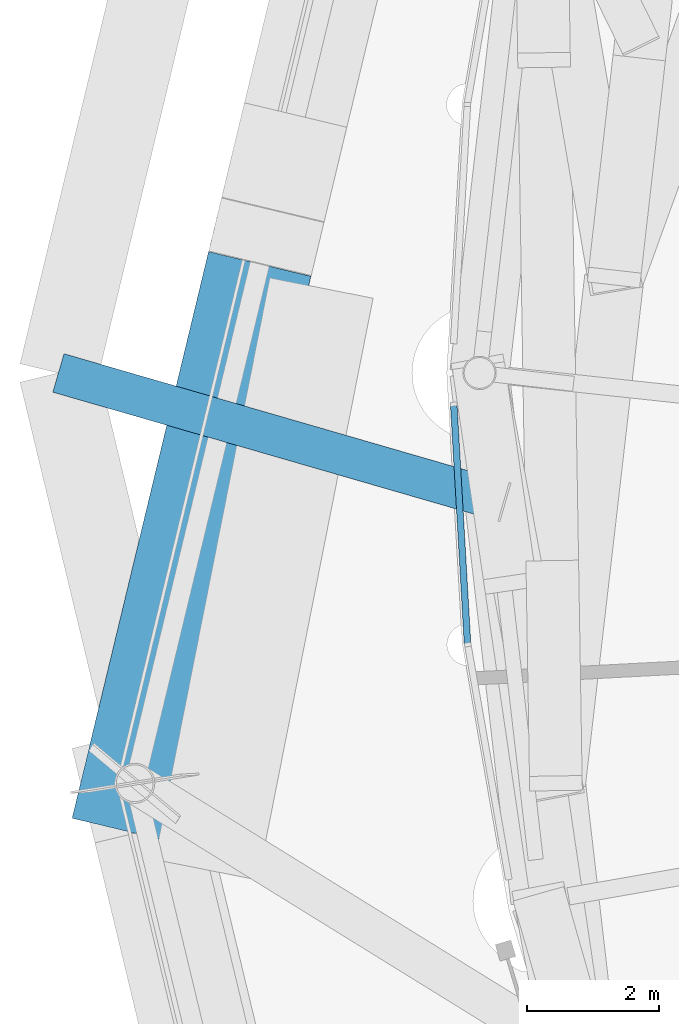
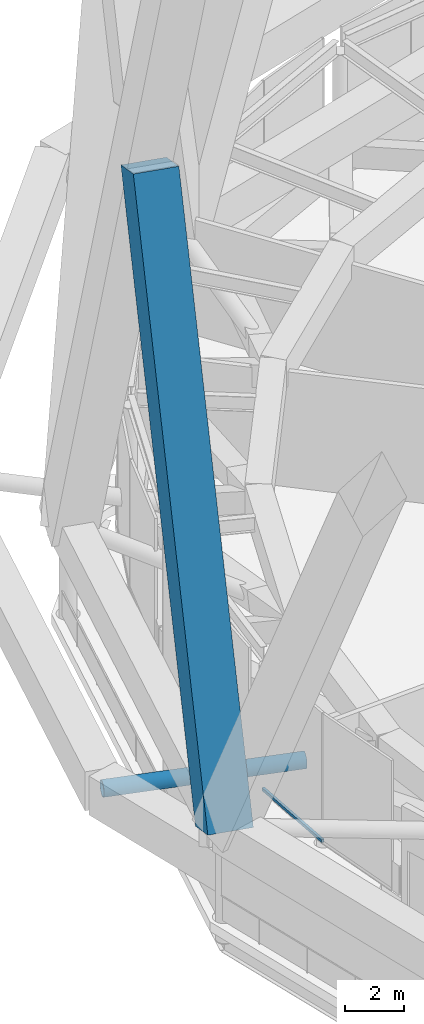
# One storey, part 17 of 65: 3 members, 1 element without a shape of its own.
"""IFC4 building model written with IfcOpenShell, lengths in metres."""

from ifc_helpers import new_model, si_unit, direction, frame, origin, origin_2d, place, context, subcontext, project, spatial, rectangle, hollow_circle, extrude, material, layer, layer_set, material_profile, profile_set, type_object, element, aggregate, save


model = new_model("IFC4")

# Units and contexts
model_context = context("Model", 3, precision=1e-05, world=origin(), true_north=direction((0.0, 1.0)))
body_context = subcontext(model_context, "Body", "Model", "MODEL_VIEW")
ifc_project = project(units=[si_unit("LENGTHUNIT", "METRE"), si_unit("AREAUNIT", "SQUARE_METRE"), si_unit("VOLUMEUNIT", "CUBIC_METRE"), si_unit("PLANEANGLEUNIT", "RADIAN"), si_unit("MASSUNIT", "GRAM", prefix="KILO")], contexts=[model_context])

# Site, building, storey
site_placement = place(None, origin())
site = spatial("IfcSite", under=ifc_project, at=site_placement, CompositionType="ELEMENT")
building_placement = place(site_placement, origin())
building = spatial("IfcBuilding", under=site, at=building_placement, Name="Nagisa Residences", CompositionType="ELEMENT")
storey_placement = place(building_placement, frame((0.0, 0.0, 114.0)))
storey = spatial("IfcBuildingStorey", under=building, at=storey_placement, Name="L28", CompositionType="ELEMENT", Elevation=114.0)

# Curtain wall, member
ifc_material_1 = material(Name="Aluminium curtain wall system", Category="aluminium")
ifc_layer = layer(ifc_material_1, 0.159912109375)
ifc_layer_set = layer_set([ifc_layer], Name="CW5 CURTAIN WALL")
curtain_wall_type = type_object("IfcCurtainWallType", Name="CW5 CURTAIN WALL", PredefinedType="NOTDEFINED", material=ifc_layer_set)
curtain_wall_placement = place(storey_placement, origin())
curtain_wall = element("IfcCurtainWall", 1, at=curtain_wall_placement, inside=storey, type_object=curtain_wall_type, Name="cw:CW5:L28:24", PredefinedType="NOTDEFINED")
ifc_material_2 = material(Name="Aluminium", Category="aluminium")
ifc_material_profile_1 = material_profile(ifc_material_2, rectangle(XDim=0.10009765625, YDim=0.1201171875, at=origin_2d()), Name="CW5 TRANSOM 100x120")
ifc_profile_set_1 = profile_set([ifc_material_profile_1], Name="Aluminium")
member_type_1 = type_object("IfcMemberType", Name="CW5 TRANSOM 100x120", PredefinedType="USERDEFINED", material=ifc_profile_set_1)
member_1_placement = place(storey_placement, frame((-29.38916015625, 2.673095703125, 0.06005859375), z_axis=(0.05747031742, -0.998347215459, 0.0), x_axis=(0.998347215459, 0.05747031742, 0.0)))
member_1 = element("IfcMember", 2, at=member_1_placement, type_object=member_type_1, Name="CW5 transom", ObjectType="TRANSOM", PredefinedType="USERDEFINED", context=body_context, shape_type="SweptSolid", body=[
    extrude(rectangle(XDim=0.10009765625, YDim=0.1201171875, at=origin_2d()), origin(), (0.0, 0.0, 1.0), 3.67041015625),
])
aggregate(curtain_wall, [member_1])

# Members
ifc_material_3 = material(Name="Concrete C80", Category="concrete")
ifc_material_profile_2 = material_profile(ifc_material_3, rectangle(XDim=1.60009765625, YDim=1.60009765625, at=origin_2d()), Name="C80 1600x1600")
ifc_profile_set_2 = profile_set([ifc_material_profile_2], Name="Concrete C80")
member_type_2 = type_object("IfcMemberType", Name="Cage diagonal 3 C80 1600x1600", PredefinedType="BRACE", material=ifc_profile_set_2)
member_2_placement = place(storey_placement, frame((-34.235107421875, -3.11767578125, 3.699951171875), z_axis=(0.090130792103, 0.374299636635, 0.922917234821), x_axis=(-0.972210857054, 0.234106918792, 0.0)))
element("IfcMember", 3, at=member_2_placement, inside=storey, type_object=member_type_2, Name="mem:L28:cg3d012a", PredefinedType="BRACE", context=body_context, shape_type="SweptSolid", body=[
    extrude(rectangle(XDim=1.60009765625, YDim=1.60009765625, at=origin_2d()), origin(), (0.0, 0.0, 1.0), 23.002685546875),
])
ifc_material_4 = material(Name="Steel ASTM A572 Gr 65", Category="steel")
ifc_material_profile_3 = material_profile(ifc_material_4, hollow_circle(Radius=0.304931640625, WallThickness=0.02490234375, at=origin_2d()), Name="CHS 610x25")
ifc_profile_set_3 = profile_set([ifc_material_profile_3], Name="Steel ASTM A572 Gr 65")
member_type_3 = type_object("IfcMemberType", Name="Cage strut CHS 610x25", PredefinedType="STRUT", material=ifc_profile_set_3)
member_3_placement = place(storey_placement, frame((-35.39501953125, 3.11767578125, 1.89990234375), z_axis=(0.960565726521, -0.278053025579, 0.0), x_axis=(0.278053025579, 0.960565726521, 0.0)))
element("IfcMember", 4, at=member_3_placement, inside=storey, type_object=member_type_3, Name="mem:L28:bt2st2a07", PredefinedType="STRUT", context=body_context, shape_type="SweptSolid", body=[
    extrude(hollow_circle(Radius=0.304931640625, WallThickness=0.02490234375, at=origin_2d()), origin(), (0.0, 0.0, 1.0), 7.041748046875),
])

save(model, "model.ifc")
